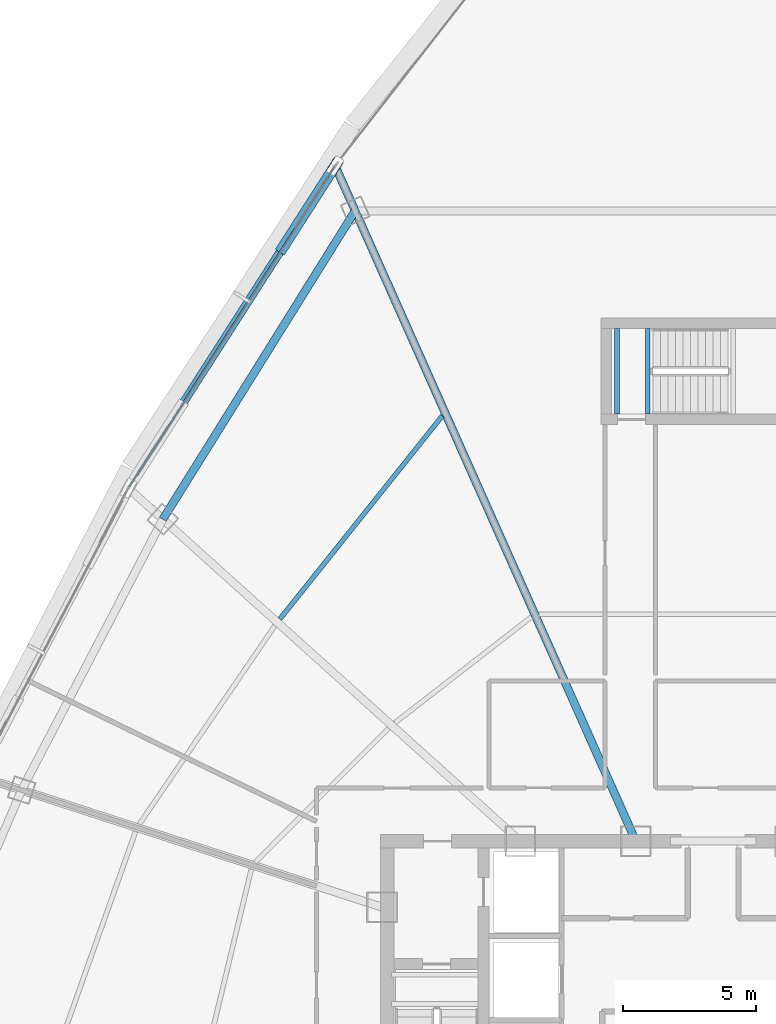
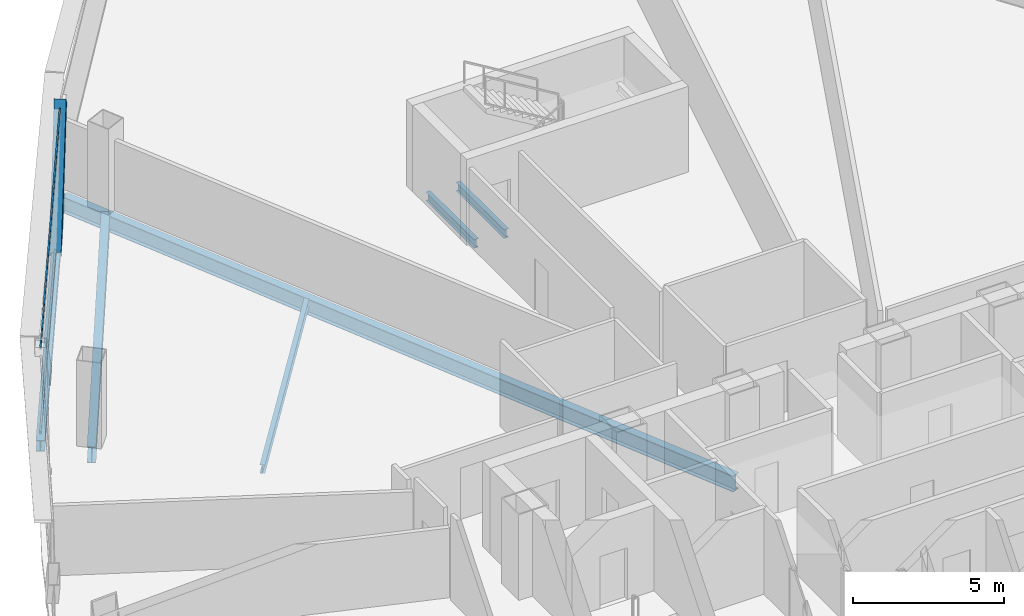
# One storey, part 18 of 37: 6 beams, 3 members, 1 element without a shape of its own.
"""IFC4 building model written with IfcOpenShell, lengths in metres."""

from ifc_helpers import new_model, si_unit, direction, frame, origin, origin_2d, place, context, subcontext, project, spatial, hollow_rectangle, i_section, extrude, source, transform, mapped, material, layer, layer_set, material_profile, profile_set, type_object, element, aggregate, save


model = new_model("IFC4")

# Units and contexts
model_context = context("Model", 3, precision=1e-05, world=origin(), true_north=direction((0.0, 1.0)))
body_context = subcontext(model_context, "Body", "Model", "MODEL_VIEW")
ifc_project = project(units=[si_unit("LENGTHUNIT", "METRE"), si_unit("AREAUNIT", "SQUARE_METRE"), si_unit("VOLUMEUNIT", "CUBIC_METRE"), si_unit("PLANEANGLEUNIT", "RADIAN"), si_unit("MASSUNIT", "GRAM", prefix="KILO"), si_unit("THERMODYNAMICTEMPERATUREUNIT", "KELVIN"), si_unit("POWERUNIT", "WATT")], contexts=[model_context])

# Site, building, storey
site_placement = place(None, origin())
site = spatial("IfcSite", under=ifc_project, at=site_placement, CompositionType="ELEMENT")
building_placement = place(site_placement, origin())
building = spatial("IfcBuilding", under=site, at=building_placement, Name="Yunzhuo Pagoda Commons", CompositionType="ELEMENT")
storey_placement = place(building_placement, frame((0.0, 0.0, 251.989990234375)))
storey = spatial("IfcBuildingStorey", under=building, at=storey_placement, Name="L63", CompositionType="ELEMENT", Elevation=251.989990234375)

# Beams
ifc_material_1 = material(Name="Structural steel Q355B", Category="steel")
ifc_material_profile_1 = material_profile(ifc_material_1, i_section(OverallWidth=0.175048828125, OverallDepth=0.35009765625, WebThickness=0.007080078125, FlangeThickness=0.010986328125, at=origin_2d()), Name="Structural steel Q355B")
ifc_profile_set_1 = profile_set([ifc_material_profile_1], Name="Structural steel Q355B")
beam_type_1 = type_object("IfcBeamType", Name="B-JS2 Joist HN 350x175x7x11", PredefinedType="JOIST", material=ifc_profile_set_1)
shared_shape_1 = source(origin(), body_context, "Body", "SweptSolid", [
    extrude(i_section(OverallWidth=0.175048828125, OverallDepth=0.35009765625, WebThickness=0.007080078125, FlangeThickness=0.010986328125, at=origin_2d()), origin(), (0.0, 0.0, 1.0), 3.199951171875),
])
for number, where, z_axis, x_axis, name in (
    (1, (44.39990234375, 56.199951171875, -0.375), (0.0, 1.0, 0.0), (-1.0, 0.0, 0.0), "L63 ST3 landing support beam 137A"),
    (2, (45.550048828125, 56.199951171875, -0.375), (0.0, 1.0, 0.0), (-1.0, 0.0, 0.0), "L63 ST3 landing support beam 137B"),
):
    element("IfcBeam", number, at=place(storey_placement, frame(where, z_axis=z_axis, x_axis=x_axis)), inside=storey, type_object=beam_type_1, Name=name, PredefinedType="JOIST", context=body_context, shape_type="MappedRepresentation", body=[
        mapped(shared_shape_1, transform((0.0, 0.0, 0.0), scale=1.0)),
    ])
ifc_material_profile_2 = material_profile(ifc_material_1, i_section(OverallWidth=0.300048828125, OverallDepth=0.64990234375, WebThickness=0.012939453125, FlangeThickness=0.02197265625, at=origin_2d()), Name="Structural steel Q355B")
ifc_profile_set_2 = profile_set([ifc_material_profile_2], Name="Structural steel Q355B")
beam_type_2 = type_object("IfcBeamType", Name="B-RG2 Beam HN 650x300x13x22", PredefinedType="BEAM", material=ifc_profile_set_2)
shared_shape_2 = source(origin(), body_context, "Body", "SweptSolid", [
    extrude(i_section(OverallWidth=0.300048828125, OverallDepth=0.64990234375, WebThickness=0.012939453125, FlangeThickness=0.02197265625, at=origin_2d()), origin(), (0.0, 0.0, 1.0), 13.615478515625),
])
beam_1_placement = place(storey_placement, frame((34.59326171875, 63.81201171875, -0.5849609375), z_axis=(-0.529178300485, -0.848510651846, 0.0), x_axis=(0.848510651846, -0.529178300485, 0.0)))
element("IfcBeam", 3, at=beam_1_placement, inside=storey, type_object=beam_type_2, Name="L63 column-ring beam 9", PredefinedType="BEAM", context=body_context, shape_type="MappedRepresentation", body=[
    mapped(shared_shape_2, transform((0.0, 0.0, 0.0), scale=1.0)),
])
shared_shape_3 = source(origin(), body_context, "Body", "SweptSolid", [
    extrude(i_section(OverallWidth=0.175048828125, OverallDepth=0.35009765625, WebThickness=0.007080078125, FlangeThickness=0.010986328125, at=origin_2d()), origin(), (0.0, 0.0, 1.0), 9.741455078125),
])
beam_2_placement = place(storey_placement, frame((37.85791015625, 56.1318359375, -0.43505859375), z_axis=(-0.624618636222, -0.780929932378, 0.0), x_axis=(0.780929932378, -0.624618636222, 0.0)))
element("IfcBeam", 4, at=beam_2_placement, inside=storey, type_object=beam_type_1, Name="L63 composite ring joist 2.9", PredefinedType="JOIST", context=body_context, shape_type="MappedRepresentation", body=[
    mapped(shared_shape_3, transform((0.0, 0.0, 0.0), scale=1.0)),
])
shared_shape_4 = source(origin(), body_context, "Body", "SweptSolid", [
    extrude(i_section(OverallWidth=0.300048828125, OverallDepth=0.64990234375, WebThickness=0.012939453125, FlangeThickness=0.02197265625, at=origin_2d()), origin(), (0.0, 0.0, 1.0), 27.535888671875),
])
beam_3_placement = place(storey_placement, frame((33.90625, 65.355224609375, -0.5849609375), z_axis=(0.406732330498, -0.913547377714, 0.0), x_axis=(0.913547377714, 0.406732330498, 0.0)))
element("IfcBeam", 5, at=beam_3_placement, inside=storey, type_object=beam_type_2, Name="L63 radial floor girder F3C1", PredefinedType="BEAM", context=body_context, shape_type="MappedRepresentation", body=[
    mapped(shared_shape_4, transform((0.0, 0.0, 0.0), scale=1.0)),
])
ifc_material_profile_3 = material_profile(ifc_material_1, i_section(OverallWidth=0.300048828125, OverallDepth=0.43994140625, WebThickness=0.010986328125, FlangeThickness=0.01806640625, at=origin_2d()), Name="Structural steel Q355B")
ifc_profile_set_3 = profile_set([ifc_material_profile_3], Name="Structural steel Q355B")
beam_type_3 = type_object("IfcBeamType", Name="B-SP2 Beam HM 440x300x11x18", PredefinedType="BEAM", material=ifc_profile_set_3)
shared_shape_5 = source(origin(), body_context, "Body", "SweptSolid", [
    extrude(i_section(OverallWidth=0.300048828125, OverallDepth=0.43994140625, WebThickness=0.010986328125, FlangeThickness=0.01806640625, at=origin_2d()), origin(), (0.0, 0.0, 1.0), 14.34619140625),
])
beam_4_placement = place(storey_placement, frame((33.84326171875, 65.49658203125, -0.47998046875), z_axis=(-0.539858467795, -0.841755804702, 0.0), x_axis=(0.841755804702, -0.539858467795, 0.0)))
element("IfcBeam", 6, at=beam_4_placement, inside=storey, type_object=beam_type_3, Name="L63 facade edge spandrel beam F3.1", PredefinedType="BEAM", context=body_context, shape_type="MappedRepresentation", body=[
    mapped(shared_shape_5, transform((0.0, 0.0, 0.0), scale=1.0)),
])

# Member
ifc_material_profile_4 = material_profile(ifc_material_1, hollow_rectangle(XDim=0.39990234375, YDim=0.719970703125, WallThickness=0.02392578125, at=origin_2d()), Name="Structural steel Q355B")
ifc_profile_set_4 = profile_set([ifc_material_profile_4], Name="Structural steel Q355B")
member_type_1 = type_object("IfcMemberType", Name="M-DL2 Brace BOX 720x400x24", PredefinedType="BRACE", material=ifc_profile_set_4)
shared_shape_6 = source(origin(), body_context, "Body", "SweptSolid", [
    extrude(hollow_rectangle(XDim=0.39990234375, YDim=0.719970703125, WallThickness=0.02392578125, at=origin_2d()), origin(), (0.0, 0.0, 1.0), 5.17431640625),
])
member_1_placement = place(storey_placement, frame((31.906982421875, 62.4775390625, -0.259765625), z_axis=(0.374201430554, 0.583454153352, 0.720801318192), x_axis=(-0.84175303115, 0.539862792338, 0.0)))
element("IfcMember", 7, at=member_1_placement, inside=storey, type_object=member_type_1, Name="L63 facade diamond brace F3.1L", PredefinedType="BRACE", context=body_context, shape_type="MappedRepresentation", body=[
    mapped(shared_shape_6, transform((0.0, 0.0, 0.0), scale=1.0)),
])

# Curtain wall, members
ifc_material_2 = material(Name="Anodized aluminium 6063-T6", Category="aluminium")
ifc_layer = layer(ifc_material_2, 0.139892578125)
ifc_layer_set = layer_set([ifc_layer], Name="Anodized aluminium 6063-T6")
curtain_wall_type = type_object("IfcCurtainWallType", Name="CW-HI High-Zone Ribbon Curtain Wall", PredefinedType="NOTDEFINED", material=ifc_layer_set)
curtain_wall_placement = place(storey_placement, origin())
curtain_wall = element("IfcCurtainWall", 8, at=curtain_wall_placement, inside=storey, type_object=curtain_wall_type, Name="L63 curtain wall CW-L63-F3B2", PredefinedType="NOTDEFINED")
ifc_material_profile_5 = material_profile(ifc_material_2, hollow_rectangle(XDim=0.054931640625, YDim=0.1201171875, WallThickness=0.00341796875, at=origin_2d()), Name="Anodized aluminium 6063-T6")
ifc_profile_set_5 = profile_set([ifc_material_profile_5], Name="Anodized aluminium 6063-T6")
member_type_2 = type_object("IfcMemberType", Name="CW-HI-T Transom RHS 120x55x3.5", PredefinedType="USERDEFINED", material=ifc_profile_set_5)
shared_shape_7 = source(origin(), body_context, "Body", "SweptSolid", [
    extrude(hollow_rectangle(XDim=0.054931640625, YDim=0.1201171875, WallThickness=0.00341796875, at=origin_2d()), origin(), (0.0, 0.0, 1.0), 14.226318359375),
])
member_2_placement = place(storey_placement, frame((33.810791015625, 65.446044921875, 0.027587890625), z_axis=(-0.539876927328, -0.841743965431, 0.0), x_axis=(0.841743965431, -0.539876927328, 0.0)))
member_2 = element("IfcMember", 9, at=member_2_placement, type_object=member_type_2, Name="CW transom 1.1", ObjectType="TRANSOM", PredefinedType="USERDEFINED", context=body_context, shape_type="MappedRepresentation", body=[
    mapped(shared_shape_7, transform((0.0, 0.0, 0.0), scale=1.0)),
])
member_3_placement = place(storey_placement, frame((33.810791015625, 65.446044921875, 3.442626953125), z_axis=(-0.539876927328, -0.841743965431, 0.0), x_axis=(0.841743965431, -0.539876927328, 0.0)))
member_3 = element("IfcMember", 10, at=member_3_placement, type_object=member_type_2, Name="CW transom 1.2", ObjectType="TRANSOM", PredefinedType="USERDEFINED", context=body_context, shape_type="MappedRepresentation", body=[
    mapped(shared_shape_7, transform((0.0, 0.0, 0.0), scale=1.0)),
])
aggregate(curtain_wall, [member_2, member_3])

save(model, "model.ifc")
